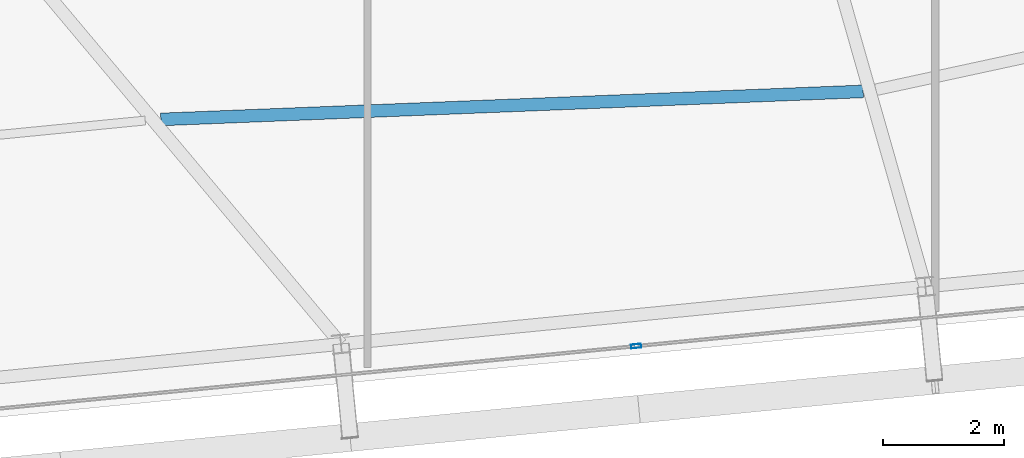
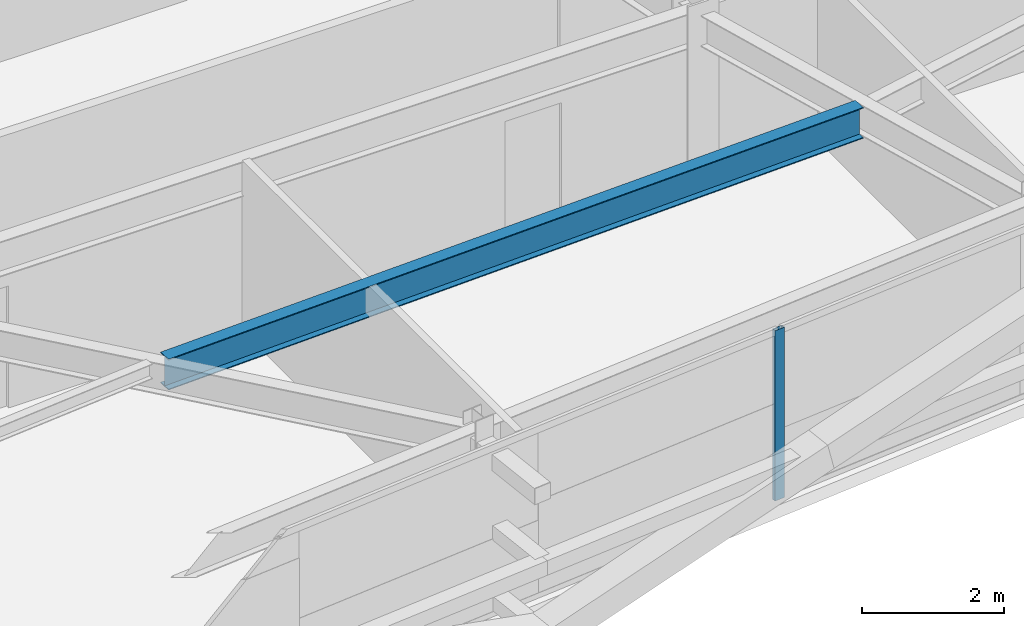
# One storey, part 11 of 47: 1 beam, 1 member, 1 element without a shape of its own.
"""IFC4 building model written with IfcOpenShell, lengths in metres."""

from ifc_helpers import new_model, si_unit, direction, frame, origin, origin_2d, place, context, subcontext, project, spatial, hollow_rectangle, i_section, extrude, source, transform, mapped, material, layer, layer_set, material_profile, profile_set, type_object, element, aggregate, save


model = new_model("IFC4")

# Units and contexts
model_context = context("Model", 3, precision=1e-05, world=origin(), true_north=direction((0.0, 1.0)))
body_context = subcontext(model_context, "Body", "Model", "MODEL_VIEW")
ifc_project = project(units=[si_unit("LENGTHUNIT", "METRE"), si_unit("AREAUNIT", "SQUARE_METRE"), si_unit("VOLUMEUNIT", "CUBIC_METRE"), si_unit("PLANEANGLEUNIT", "RADIAN"), si_unit("MASSUNIT", "GRAM", prefix="KILO")], contexts=[model_context])

# Site, building, storey
site_placement = place(None, origin())
site = spatial("IfcSite", under=ifc_project, at=site_placement, CompositionType="ELEMENT")
building_placement = place(site_placement, origin())
building = spatial("IfcBuilding", under=site, at=building_placement, Name="Taldren Reach Tower", CompositionType="ELEMENT")
storey_placement = place(building_placement, frame((0.0, 0.0, 87.14990234375)))
storey = spatial("IfcBuildingStorey", under=building, at=storey_placement, Name="L26", CompositionType="ELEMENT", Elevation=87.14990234375)

# Beam
ifc_material_1 = material(Name="Steel Gr 350 (350PLUS)", Category="steel")
ifc_material_profile_1 = material_profile(ifc_material_1, i_section(OverallWidth=0.208984375, OverallDepth=0.532958984375, WebThickness=0.01025390625, FlangeThickness=0.015625, at=origin_2d()), Name="530UB92.4")
ifc_profile_set_1 = profile_set([ifc_material_profile_1], Name="Steel Gr 350 (350PLUS)")
beam_type = type_object("IfcBeamType", Name="BM-UB530A", PredefinedType="BEAM", material=ifc_profile_set_1)
shared_shape_1 = source(origin(), body_context, "Body", "SweptSolid", [
    extrude(i_section(OverallWidth=0.208984375, OverallDepth=0.532958984375, WebThickness=0.01025390625, FlangeThickness=0.015625, at=origin_2d()), origin(), (0.0, 0.0, 1.0), 11.586669921875),
])
beam_placement = place(storey_placement, frame((31.23291015625, 5.510009765625, 2.66357421875), z_axis=(0.999202506312, 0.039929329821, 0.0), x_axis=(-0.039929329821, 0.999202506312, 0.0)))
element("IfcBeam", 1, at=beam_placement, inside=storey, type_object=beam_type, Name="Secondary floor beam B2 J3 L26", PredefinedType="BEAM", context=body_context, shape_type="MappedRepresentation", body=[
    mapped(shared_shape_1, transform((0.0, 0.0, 0.0), scale=1.0)),
])

# Curtain wall, member
ifc_material_2 = material(Name="Aluminium and Low-E Glass Unitised System", Category="aluminium")
ifc_layer = layer(ifc_material_2, 0.159912109375)
ifc_layer_set = layer_set([ifc_layer], Name="Aluminium and Low-E Glass Unitised System")
curtain_wall_type = type_object("IfcCurtainWallType", Name="CW-SYS-3", PredefinedType="NOTDEFINED", material=ifc_layer_set)
curtain_wall_placement = place(storey_placement, origin())
curtain_wall = element("IfcCurtainWall", 2, at=curtain_wall_placement, inside=storey, type_object=curtain_wall_type, Name="Unitised curtain wall CW-L26-S", PredefinedType="NOTDEFINED")
ifc_material_3 = material(Name="Anodised Aluminium 6063-T6", Category="aluminium")
ifc_material_profile_2 = material_profile(ifc_material_3, hollow_rectangle(XDim=0.06494140625, YDim=0.1650390625, WallThickness=0.00390625, at=origin_2d()), Name="ALU-165x65x4RHS")
ifc_profile_set_2 = profile_set([ifc_material_profile_2], Name="Anodised Aluminium 6063-T6")
member_type = type_object("IfcMemberType", Name="CW-MUL-165", PredefinedType="MULLION", material=ifc_profile_set_2)
shared_shape_2 = source(origin(), body_context, "Body", "SweptSolid", [
    extrude(hollow_rectangle(XDim=0.06494140625, YDim=0.1650390625, WallThickness=0.00390625, at=origin_2d()), origin(), (0.0, 0.0, 1.0), 2.93017578125),
])
member_placement = place(storey_placement, frame((39.068359375, 1.77392578125, 0.0), z_axis=(0.0, 0.0, 1.0), x_axis=(-0.097582999046, 0.995227390247, 0.0)))
member = element("IfcMember", 3, at=member_placement, type_object=member_type, Name="CW-3 mullion 3", PredefinedType="MULLION", context=body_context, shape_type="MappedRepresentation", body=[
    mapped(shared_shape_2, transform((0.0, 0.0, 0.0), scale=1.0)),
])
aggregate(curtain_wall, [member])

save(model, "model.ifc")
